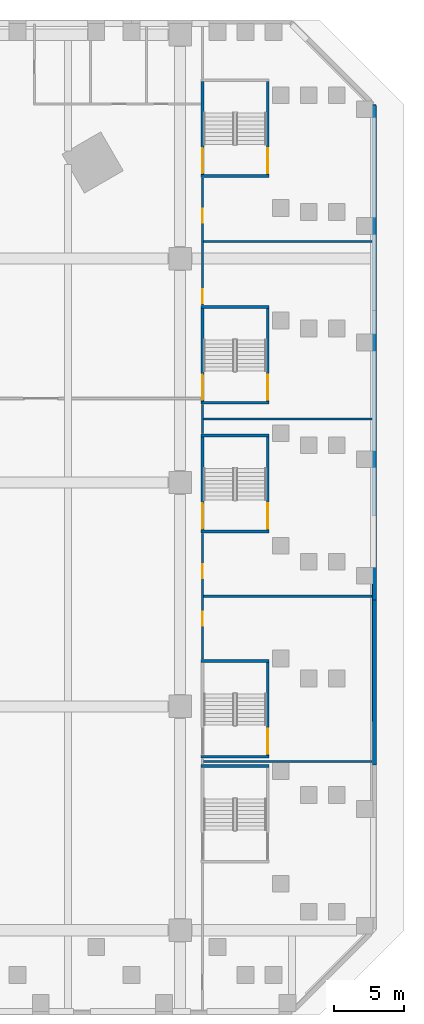
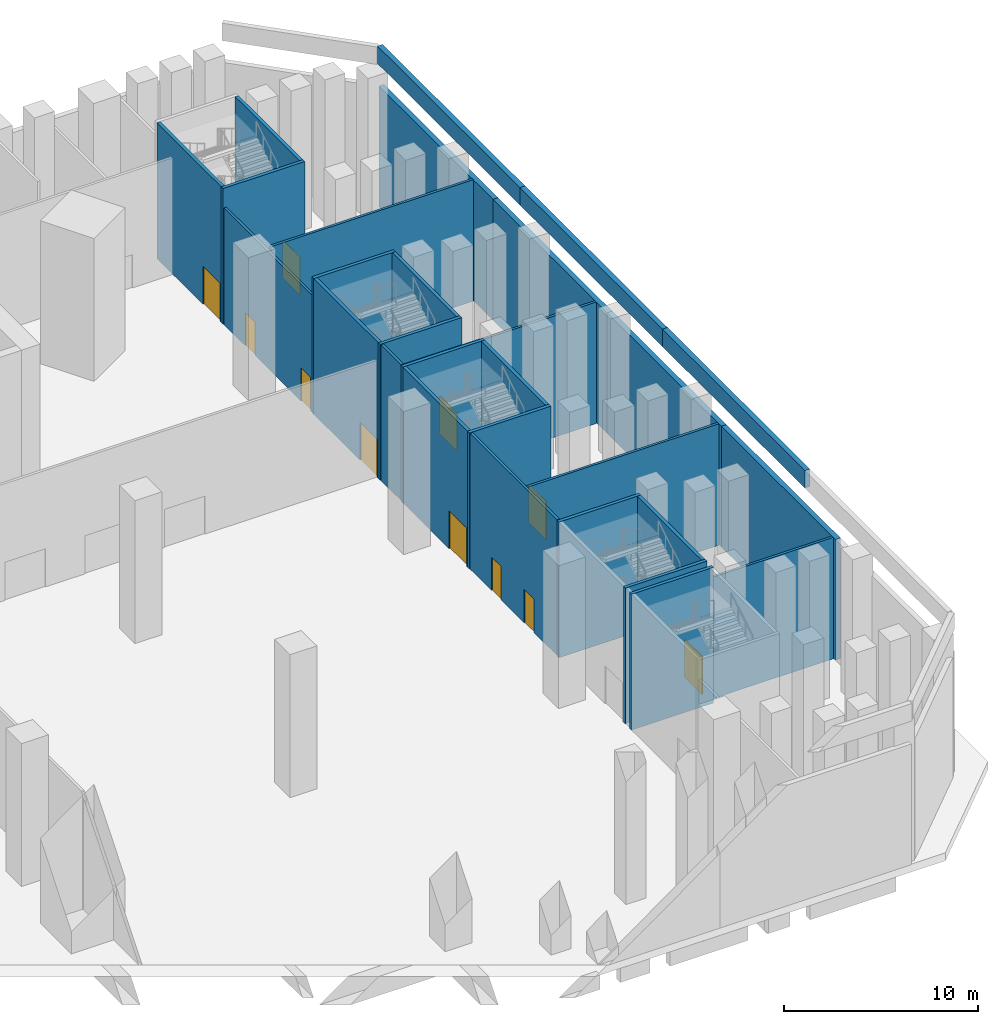
# One storey, part 9 of 25: 29 walls, 11 doors, 11 openings.
"""IFC4 building model written with IfcOpenShell, lengths in metres."""

from ifc_helpers import new_model, si_unit, direction, frame, frame_2d, origin, place, context, subcontext, project, spatial, rectangle, extrude, material, layer, layer_set, type_object, element, fill, save


model = new_model("IFC4")

# Units and contexts
model_context = context("Model", 3, precision=1e-05, world=origin(), true_north=direction((0.0, 1.0)))
body_context = subcontext(model_context, "Body", "Model", "MODEL_VIEW")
ifc_project = project(units=[si_unit("LENGTHUNIT", "METRE"), si_unit("AREAUNIT", "SQUARE_METRE"), si_unit("VOLUMEUNIT", "CUBIC_METRE"), si_unit("PLANEANGLEUNIT", "RADIAN"), si_unit("MASSUNIT", "GRAM", prefix="KILO")], contexts=[model_context])

# Site, building, storey
site_placement = place(None, origin())
site = spatial("IfcSite", under=ifc_project, at=site_placement, CompositionType="ELEMENT")
building_placement = place(site_placement, origin())
building = spatial("IfcBuilding", under=site, at=building_placement, Name="Calabash Gate Tower", CompositionType="ELEMENT")
storey_placement = place(building_placement, frame((0.0, 0.0, 20.0)))
storey = spatial("IfcBuildingStorey", under=building, at=storey_placement, Name="L02", CompositionType="ELEMENT", Elevation=20.0)

# Wall
ifc_material_1 = material(Name="Gypsum board on steel studs, mineral wool", Category="steel")
ifc_layer_1 = layer(ifc_material_1, 0.14990234375)
ifc_layer_set_1 = layer_set([ifc_layer_1], Name="Partition 150 gypsum board")
wall_type_1 = type_object("IfcWallType", Name="Partition 150 gypsum board", PredefinedType="PARTITIONING", material=ifc_layer_set_1)
wall_1_placement = place(storey_placement, frame((33.675048828125, -27.925048828125, 0.0), z_axis=(0.0, 0.0, 1.0), x_axis=(1.0, 0.0, 0.0)))
element("IfcWall", 1, at=wall_1_placement, inside=storey, type_object=wall_type_1, Name="Partition", PredefinedType="PARTITIONING", context=body_context, shape_type="SweptSolid", body=[
    extrude(rectangle(XDim=12.044921875, YDim=0.14990234375, at=frame_2d((6.0224609375, 0.0))), origin(), (0.0, 0.0, 1.0), 7.64990234375),
])

# Wall, openings, doors
wall_2_placement = place(storey_placement, frame((33.60009765625, -20.610107421875, 0.0), z_axis=(0.0, 0.0, 1.0), x_axis=(0.0, 1.0, 0.0)))
wall_2 = element("IfcWall", 2, at=wall_2_placement, inside=storey, type_object=wall_type_1, Name="Partition", PredefinedType="PARTITIONING", context=body_context, shape_type="SweptSolid", body=[
    extrude(rectangle(XDim=8.97021484375, YDim=0.14990234375, at=frame_2d((4.485107421875, 0.0))), origin(), (0.0, 0.0, 1.0), 8.550048828125),
])
opening_1_placement = place(wall_2_placement, frame((2.385009765625, 0.0, 0.0)))
opening_1 = element("IfcOpeningElement", 3, at=opening_1_placement, cuts=wall_2, Name="Opening L02-057", PredefinedType="OPENING", context=body_context, shape_type="SweptSolid", body=[
    extrude(rectangle(XDim=1.0, YDim=2.10009765625, at=frame_2d((0.5, 1.050048828125))), frame((0.0, 0.0849609375, 0.0), z_axis=(0.0, -1.0, 0.0), x_axis=(1.0, 0.0, 0.0)), (0.0, 0.0, 1.0), 0.169921875),
])
opening_2_placement = place(wall_2_placement, frame((5.759033203125, 0.0, 0.0)))
opening_2 = element("IfcOpeningElement", 4, at=opening_2_placement, cuts=wall_2, Name="Opening L02-058", PredefinedType="OPENING", context=body_context, shape_type="SweptSolid", body=[
    extrude(rectangle(XDim=1.0, YDim=2.10009765625, at=frame_2d((0.5, 1.050048828125))), frame((0.0, 0.0849609375, 0.0), z_axis=(0.0, -1.0, 0.0), x_axis=(1.0, 0.0, 0.0)), (0.0, 0.0, 1.0), 0.169921875),
])
ifc_material_2 = material(Name="Steel fire door set with fire-resisting glazing", Category="steel")
door_type_1 = type_object("IfcDoorType", Name="Fire door D11 1000x2100 FD60", OperationType="NOTDEFINED", PredefinedType="DOOR", material=ifc_material_2)
door_1_placement = place(opening_1_placement, origin())
door_1 = element("IfcDoor", 5, at=door_1_placement, inside=storey, type_object=door_type_1, Name="Meeting Room 202 door", OperationType="SINGLE_SWING_LEFT", OverallHeight=2.10009765625, OverallWidth=1.0, PredefinedType="DOOR", context=body_context, shape_type="SweptSolid", body=[
    extrude(rectangle(XDim=1.0, YDim=2.10009765625, at=frame_2d((0.5, 1.050048828125))), frame((0.0, 0.02490234375, 0.0), z_axis=(0.0, -1.0, 0.0), x_axis=(1.0, 0.0, 0.0)), (0.0, 0.0, 1.0), 0.050048828125),
])
fill(opening_1, door_1)
door_2_placement = place(opening_2_placement, origin())
door_2 = element("IfcDoor", 6, at=door_2_placement, inside=storey, type_object=door_type_1, Name="Meeting Room 203 door", OperationType="SINGLE_SWING_LEFT", OverallHeight=2.10009765625, OverallWidth=1.0, PredefinedType="DOOR", context=body_context, shape_type="SweptSolid", body=[
    extrude(rectangle(XDim=1.0, YDim=2.10009765625, at=frame_2d((0.5, 1.050048828125))), frame((0.0, 0.02490234375, 0.0), z_axis=(0.0, -1.0, 0.0), x_axis=(1.0, 0.0, 0.0)), (0.0, 0.0, 1.0), 0.050048828125),
])
fill(opening_2, door_2)

# Walls
wall_3_placement = place(storey_placement, frame((33.675048828125, -16.125, 0.0), z_axis=(0.0, 0.0, 1.0), x_axis=(1.0, 0.0, 0.0)))
element("IfcWall", 7, at=wall_3_placement, inside=storey, type_object=wall_type_1, Name="Partition", PredefinedType="PARTITIONING", context=body_context, shape_type="SweptSolid", body=[
    extrude(rectangle(XDim=12.044921875, YDim=0.14990234375, at=frame_2d((6.0224609375, 0.0))), origin(), (0.0, 0.0, 1.0), 7.64990234375),
])
wall_4_placement = place(storey_placement, frame((33.60009765625, -4.510009765625, 0.0), z_axis=(0.0, 0.0, 1.0), x_axis=(0.0, 1.0, 0.0)))
element("IfcWall", 8, at=wall_4_placement, inside=storey, type_object=wall_type_1, Name="Partition", PredefinedType="PARTITIONING", context=body_context, shape_type="SweptSolid", body=[
    extrude(rectangle(XDim=2.070068359375, YDim=0.14990234375, at=frame_2d((1.03515625, 0.0))), origin(), (0.0, 0.0, 1.0), 8.550048828125),
])
wall_5_placement = place(storey_placement, frame((33.675048828125, -3.47509765625, 0.0), z_axis=(0.0, 0.0, 1.0), x_axis=(1.0, 0.0, 0.0)))
element("IfcWall", 9, at=wall_5_placement, inside=storey, type_object=wall_type_1, Name="Partition", PredefinedType="PARTITIONING", context=body_context, shape_type="SweptSolid", body=[
    extrude(rectangle(XDim=12.044921875, YDim=0.14990234375, at=frame_2d((6.0224609375, 0.0))), origin(), (0.0, 0.0, 1.0), 7.64990234375),
])

# Wall, openings, doors
wall_6_placement = place(storey_placement, frame((33.60009765625, 4.68994140625, 0.0), z_axis=(0.0, 0.0, 1.0), x_axis=(0.0, 1.0, 0.0)))
wall_6 = element("IfcWall", 10, at=wall_6_placement, inside=storey, type_object=wall_type_1, Name="Partition", PredefinedType="PARTITIONING", context=body_context, shape_type="SweptSolid", body=[
    extrude(rectangle(XDim=9.070068359375, YDim=0.14990234375, at=frame_2d((4.53515625, 0.0))), origin(), (0.0, 0.0, 1.0), 7.35009765625),
])
opening_3_placement = place(wall_6_placement, frame((0.135009765625, 0.0, 0.0)))
opening_3 = element("IfcOpeningElement", 11, at=opening_3_placement, cuts=wall_6, Name="Opening L02-059", PredefinedType="OPENING", context=body_context, shape_type="SweptSolid", body=[
    extrude(rectangle(XDim=1.0, YDim=2.10009765625, at=frame_2d((0.5, 1.050048828125))), frame((0.0, 0.0849609375, 0.0), z_axis=(0.0, -1.0, 0.0), x_axis=(1.0, 0.0, 0.0)), (0.0, 0.0, 1.0), 0.169921875),
])
opening_4_placement = place(wall_6_placement, frame((5.85888671875, 0.0, 0.0)))
opening_4 = element("IfcOpeningElement", 12, at=opening_4_placement, cuts=wall_6, Name="Opening L02-060", PredefinedType="OPENING", context=body_context, shape_type="SweptSolid", body=[
    extrude(rectangle(XDim=1.0, YDim=2.10009765625, at=frame_2d((0.5, 1.050048828125))), frame((0.0, 0.0849609375, 0.0), z_axis=(0.0, -1.0, 0.0), x_axis=(1.0, 0.0, 0.0)), (0.0, 0.0, 1.0), 0.169921875),
])
door_3_placement = place(opening_3_placement, origin())
door_3 = element("IfcDoor", 13, at=door_3_placement, inside=storey, type_object=door_type_1, Name="Meeting Room 204 door", OperationType="SINGLE_SWING_LEFT", OverallHeight=2.10009765625, OverallWidth=1.0, PredefinedType="DOOR", context=body_context, shape_type="SweptSolid", body=[
    extrude(rectangle(XDim=1.0, YDim=2.10009765625, at=frame_2d((0.5, 1.050048828125))), frame((0.0, 0.02490234375, 0.0), z_axis=(0.0, -1.0, 0.0), x_axis=(1.0, 0.0, 0.0)), (0.0, 0.0, 1.0), 0.050048828125),
])
fill(opening_3, door_3)
door_4_placement = place(opening_4_placement, origin())
door_4 = element("IfcDoor", 14, at=door_4_placement, inside=storey, type_object=door_type_1, Name="Meeting Room 205 door", OperationType="SINGLE_SWING_RIGHT", OverallHeight=2.10009765625, OverallWidth=1.0, PredefinedType="DOOR", context=body_context, shape_type="SweptSolid", body=[
    extrude(rectangle(XDim=1.0, YDim=2.10009765625, at=frame_2d((0.5, 1.050048828125))), frame((0.0, 0.02490234375, 0.0), z_axis=(0.0, -1.0, 0.0), x_axis=(1.0, 0.0, 0.0)), (0.0, 0.0, 1.0), 0.050048828125),
])
fill(opening_4, door_4)

# Walls
wall_7_placement = place(storey_placement, frame((33.675048828125, 9.22509765625, 0.0), z_axis=(0.0, 0.0, 1.0), x_axis=(1.0, 0.0, 0.0)))
element("IfcWall", 15, at=wall_7_placement, inside=storey, type_object=wall_type_1, Name="Partition", PredefinedType="PARTITIONING", context=body_context, shape_type="SweptSolid", body=[
    extrude(rectangle(XDim=12.044921875, YDim=0.14990234375, at=frame_2d((6.0224609375, 0.0))), origin(), (0.0, 0.0, 1.0), 7.64990234375),
])
ifc_material_3 = material(Name="Terracotta brick masonry, exposed face", Category="masonry")
ifc_layer_2 = layer(ifc_material_3, 0.300048828125)
ifc_layer_set_2 = layer_set([ifc_layer_2], Name="Podium brick wall 300")
wall_type_2 = type_object("IfcWallType", Name="Podium brick wall 300", PredefinedType="SOLIDWALL", material=ifc_layer_set_2)
wall_8_placement = place(storey_placement, frame((45.89990234375, -28.169921875, 0.0), z_axis=(0.0, 0.0, 1.0), x_axis=(0.0, 1.0, 0.0)))
element("IfcWall", 16, at=wall_8_placement, inside=storey, type_object=wall_type_2, Name="Podium brick wall L02 2.0.1", PredefinedType="SOLIDWALL", context=body_context, shape_type="SweptSolid", body=[
    extrude(rectangle(XDim=11.780029296875, YDim=0.300048828125, at=frame_2d((5.89013671875, 0.0))), origin(), (0.0, 0.0, 1.0), 7.60009765625),
])
wall_9_placement = place(storey_placement, frame((45.89990234375, -16.389892578125, 0.0), z_axis=(0.0, 0.0, 1.0), x_axis=(0.0, 1.0, 0.0)))
element("IfcWall", 17, at=wall_9_placement, inside=storey, type_object=wall_type_2, Name="Podium brick wall L02 2.0.2", PredefinedType="SOLIDWALL", context=body_context, shape_type="SweptSolid", body=[
    extrude(rectangle(XDim=11.77978515625, YDim=0.300048828125, at=frame_2d((5.889892578125, 0.0))), origin(), (0.0, 0.0, 1.0), 7.60009765625),
])
for number, where, z_axis, x_axis, name in (
    (18, (45.89990234375, -4.610107421875, 0.0), (0.0, 0.0, 1.0), (0.0, 1.0, 0.0), "Podium brick wall L02 2.0.3"),
    (19, (45.89990234375, 7.169921875, 0.0), (0.0, 0.0, 1.0), (0.0, 1.0, 0.0), "Podium brick wall L02 2.0.4"),
):
    element("IfcWall", number, at=place(storey_placement, frame(where, z_axis=z_axis, x_axis=x_axis)), inside=storey, type_object=wall_type_2, Name=name, PredefinedType="SOLIDWALL", context=body_context, shape_type="SweptSolid", body=[
        extrude(rectangle(XDim=11.780029296875, YDim=0.300048828125, at=frame_2d((5.89013671875, 0.0))), origin(), (0.0, 0.0, 1.0), 7.60009765625),
    ])
ifc_material_4 = material(Name="Terracotta brick masonry, exposed face", Category="masonry")
ifc_layer_3 = layer(ifc_material_4, 0.300048828125)
ifc_layer_set_3 = layer_set([ifc_layer_3], Name="Podium parapet wall 300")
wall_type_3 = type_object("IfcWallType", Name="Podium parapet wall 300", PredefinedType="PARAPET", material=ifc_layer_set_3)
for number, where, z_axis, x_axis, name in (
    (20, (45.85009765625, -25.092529296875, 9.0), (0.0, 0.0, 1.0), (0.0, 1.0, 0.0), "Podium parapet L02 2.0.1"),
    (21, (45.85009765625, -10.39501953125, 9.0), (0.0, 0.0, 1.0), (0.0, 1.0, 0.0), "Podium parapet L02 2.0.2"),
    (22, (45.85009765625, 4.302490234375, 9.0), (0.0, 0.0, 1.0), (0.0, 1.0, 0.0), "Podium parapet L02 2.0.3"),
):
    element("IfcWall", number, at=place(storey_placement, frame(where, z_axis=z_axis, x_axis=x_axis)), inside=storey, type_object=wall_type_3, Name=name, PredefinedType="PARAPET", context=body_context, shape_type="SweptSolid", body=[
        extrude(rectangle(XDim=14.697509765625, YDim=0.300048828125, at=frame_2d((7.3486328125, 0.0))), origin(), (0.0, 0.0, 1.0), 1.10009765625),
    ])
ifc_material_5 = material(Name="Concrete C40/50", Category="concrete")
ifc_layer_4 = layer(ifc_material_5, 0.199951171875)
ifc_layer_set_4 = layer_set([ifc_layer_4], Name="Stair wall 200 Concrete C40/50")
wall_type_4 = type_object("IfcWallType", Name="Stair wall 200 Concrete C40/50", PredefinedType="SOLIDWALL", material=ifc_layer_set_4)
for number, where, z_axis, x_axis, name in (
    (23, (33.5, -28.25, 0.0), (0.0, 0.0, 1.0), (1.0, 0.0, 0.0), "Stair wall"),
    (24, (33.5, -27.60009765625, 0.0), (0.0, 0.0, 1.0), (1.0, 0.0, 0.0), "Stair wall"),
    (25, (33.5, -20.75, 0.0), (0.0, 0.0, 1.0), (1.0, 0.0, 0.0), "Stair wall"),
):
    element("IfcWall", number, at=place(storey_placement, frame(where, z_axis=z_axis, x_axis=x_axis)), inside=storey, type_object=wall_type_4, Name=name, PredefinedType="SOLIDWALL", context=body_context, shape_type="SweptSolid", body=[
        extrude(rectangle(XDim=4.8701171875, YDim=0.199951171875, at=frame_2d((2.43505859375, 0.0))), origin(), (0.0, 0.0, 1.0), 8.550048828125),
    ])

# Wall, opening, door
wall_10_placement = place(storey_placement, frame((38.27001953125, -27.5, 0.0), z_axis=(0.0, 0.0, 1.0), x_axis=(0.0, 1.0, 0.0)))
wall_10 = element("IfcWall", 26, at=wall_10_placement, inside=storey, type_object=wall_type_4, Name="Stair wall", PredefinedType="SOLIDWALL", context=body_context, shape_type="SweptSolid", body=[
    extrude(rectangle(XDim=6.64990234375, YDim=0.199951171875, at=frame_2d((3.324951171875, 0.0))), origin(), (0.0, 0.0, 1.0), 8.550048828125),
])
opening_5_placement = place(wall_10_placement, frame((0.10009765625, 0.0, 0.0)))
opening_5 = element("IfcOpeningElement", 27, at=opening_5_placement, cuts=wall_10, Name="Opening L02-032", PredefinedType="OPENING", context=body_context, shape_type="SweptSolid", body=[
    extrude(rectangle(XDim=1.800048828125, YDim=2.39990234375, at=frame_2d((0.89990234375, 1.199951171875))), frame((0.0, 0.10986328125, 0.0), z_axis=(0.0, -1.0, 0.0), x_axis=(1.0, 0.0, 0.0)), (0.0, 0.0, 1.0), 0.219970703125),
])
ifc_material_6 = material(Name="Steel fire door set with fire-resisting glazing", Category="steel")
door_type_2 = type_object("IfcDoorType", Name="Double fire door D16 1800x2400 FD90", OperationType="DOUBLE_DOOR_SINGLE_SWING", PredefinedType="DOOR", material=ifc_material_6)
door_5_placement = place(opening_5_placement, origin())
door_5 = element("IfcDoor", 28, at=door_5_placement, inside=storey, type_object=door_type_2, Name="Exit stair door PS7", OperationType="DOUBLE_DOOR_SINGLE_SWING", OverallHeight=2.39990234375, OverallWidth=1.800048828125, PredefinedType="DOOR", context=body_context, shape_type="SweptSolid", body=[
    extrude(rectangle(XDim=1.800048828125, YDim=2.39990234375, at=frame_2d((0.89990234375, 1.199951171875))), frame((0.0, 0.02490234375, 0.0), z_axis=(0.0, -1.0, 0.0), x_axis=(1.0, 0.0, 0.0)), (0.0, 0.0, 1.0), 0.050048828125),
])
fill(opening_5, door_5)

# Walls
for number, where, z_axis, x_axis, name in (
    (29, (33.5, -11.5, 0.0), (0.0, 0.0, 1.0), (1.0, 0.0, 0.0), "Stair wall"),
    (30, (33.5, -4.64990234375, 0.0), (0.0, 0.0, 1.0), (1.0, 0.0, 0.0), "Stair wall"),
):
    element("IfcWall", number, at=place(storey_placement, frame(where, z_axis=z_axis, x_axis=x_axis)), inside=storey, type_object=wall_type_4, Name=name, PredefinedType="SOLIDWALL", context=body_context, shape_type="SweptSolid", body=[
        extrude(rectangle(XDim=4.8701171875, YDim=0.199951171875, at=frame_2d((2.43505859375, 0.0))), origin(), (0.0, 0.0, 1.0), 8.550048828125),
    ])

# Wall, opening, door
wall_11_placement = place(storey_placement, frame((33.60009765625, -11.39990234375, 0.0), z_axis=(0.0, 0.0, 1.0), x_axis=(0.0, 1.0, 0.0)))
wall_11 = element("IfcWall", 31, at=wall_11_placement, inside=storey, type_object=wall_type_4, Name="Stair wall", PredefinedType="SOLIDWALL", context=body_context, shape_type="SweptSolid", body=[
    extrude(rectangle(XDim=6.64990234375, YDim=0.199951171875, at=frame_2d((3.324951171875, 0.0))), origin(), (0.0, 0.0, 1.0), 8.550048828125),
])
opening_6_placement = place(wall_11_placement, frame((0.10009765625, 0.0, 0.0)))
opening_6 = element("IfcOpeningElement", 32, at=opening_6_placement, cuts=wall_11, Name="Opening L02-033", PredefinedType="OPENING", context=body_context, shape_type="SweptSolid", body=[
    extrude(rectangle(XDim=1.800048828125, YDim=2.39990234375, at=frame_2d((0.89990234375, 1.199951171875))), frame((0.0, 0.10986328125, 0.0), z_axis=(0.0, -1.0, 0.0), x_axis=(1.0, 0.0, 0.0)), (0.0, 0.0, 1.0), 0.219970703125),
])
door_6_placement = place(opening_6_placement, origin())
door_6 = element("IfcDoor", 33, at=door_6_placement, inside=storey, type_object=door_type_2, Name="Exit stair door PS8", OperationType="DOUBLE_DOOR_SINGLE_SWING", OverallHeight=2.39990234375, OverallWidth=1.800048828125, PredefinedType="DOOR", context=body_context, shape_type="SweptSolid", body=[
    extrude(rectangle(XDim=1.800048828125, YDim=2.39990234375, at=frame_2d((0.89990234375, 1.199951171875))), frame((0.0, 0.02490234375, 0.0), z_axis=(0.0, -1.0, 0.0), x_axis=(1.0, 0.0, 0.0)), (0.0, 0.0, 1.0), 0.050048828125),
])
fill(opening_6, door_6)

wall_12_placement = place(storey_placement, frame((38.27001953125, -11.39990234375, 0.0), z_axis=(0.0, 0.0, 1.0), x_axis=(0.0, 1.0, 0.0)))
wall_12 = element("IfcWall", 34, at=wall_12_placement, inside=storey, type_object=wall_type_4, Name="Stair wall", PredefinedType="SOLIDWALL", context=body_context, shape_type="SweptSolid", body=[
    extrude(rectangle(XDim=6.64990234375, YDim=0.199951171875, at=frame_2d((3.324951171875, 0.0))), origin(), (0.0, 0.0, 1.0), 8.550048828125),
])
opening_7_placement = place(wall_12_placement, frame((0.10009765625, 0.0, 0.0)))
opening_7 = element("IfcOpeningElement", 35, at=opening_7_placement, cuts=wall_12, Name="Opening L02-034", PredefinedType="OPENING", context=body_context, shape_type="SweptSolid", body=[
    extrude(rectangle(XDim=1.800048828125, YDim=2.39990234375, at=frame_2d((0.89990234375, 1.199951171875))), frame((0.0, 0.10986328125, 0.0), z_axis=(0.0, -1.0, 0.0), x_axis=(1.0, 0.0, 0.0)), (0.0, 0.0, 1.0), 0.219970703125),
])
door_7_placement = place(opening_7_placement, origin())
door_7 = element("IfcDoor", 36, at=door_7_placement, inside=storey, type_object=door_type_2, Name="Exit stair door PS8", OperationType="DOUBLE_DOOR_SINGLE_SWING", OverallHeight=2.39990234375, OverallWidth=1.800048828125, PredefinedType="DOOR", context=body_context, shape_type="SweptSolid", body=[
    extrude(rectangle(XDim=1.800048828125, YDim=2.39990234375, at=frame_2d((0.89990234375, 1.199951171875))), frame((0.0, 0.02490234375, 0.0), z_axis=(0.0, -1.0, 0.0), x_axis=(1.0, 0.0, 0.0)), (0.0, 0.0, 1.0), 0.050048828125),
])
fill(opening_7, door_7)

# Walls
for number, where, z_axis, x_axis, name in (
    (37, (33.5, -2.300048828125, 0.0), (0.0, 0.0, 1.0), (1.0, 0.0, 0.0), "Stair wall"),
    (38, (33.5, 4.550048828125, 0.0), (0.0, 0.0, 1.0), (1.0, 0.0, 0.0), "Stair wall"),
):
    element("IfcWall", number, at=place(storey_placement, frame(where, z_axis=z_axis, x_axis=x_axis)), inside=storey, type_object=wall_type_4, Name=name, PredefinedType="SOLIDWALL", context=body_context, shape_type="SweptSolid", body=[
        extrude(rectangle(XDim=4.8701171875, YDim=0.199951171875, at=frame_2d((2.43505859375, 0.0))), origin(), (0.0, 0.0, 1.0), 8.550048828125),
    ])

# Wall, opening, door
wall_13_placement = place(storey_placement, frame((33.60009765625, -2.199951171875, 0.0), z_axis=(0.0, 0.0, 1.0), x_axis=(0.0, 1.0, 0.0)))
wall_13 = element("IfcWall", 39, at=wall_13_placement, inside=storey, type_object=wall_type_4, Name="Stair wall", PredefinedType="SOLIDWALL", context=body_context, shape_type="SweptSolid", body=[
    extrude(rectangle(XDim=6.64990234375, YDim=0.199951171875, at=frame_2d((3.324951171875, 0.0))), origin(), (0.0, 0.0, 1.0), 8.550048828125),
])
opening_8_placement = place(wall_13_placement, frame((0.10009765625, 0.0, 0.0)))
opening_8 = element("IfcOpeningElement", 40, at=opening_8_placement, cuts=wall_13, Name="Opening L02-035", PredefinedType="OPENING", context=body_context, shape_type="SweptSolid", body=[
    extrude(rectangle(XDim=1.800048828125, YDim=2.39990234375, at=frame_2d((0.89990234375, 1.199951171875))), frame((0.0, 0.10986328125, 0.0), z_axis=(0.0, -1.0, 0.0), x_axis=(1.0, 0.0, 0.0)), (0.0, 0.0, 1.0), 0.219970703125),
])
door_8_placement = place(opening_8_placement, origin())
door_8 = element("IfcDoor", 41, at=door_8_placement, inside=storey, type_object=door_type_2, Name="Exit stair door PS9", OperationType="DOUBLE_DOOR_SINGLE_SWING", OverallHeight=2.39990234375, OverallWidth=1.800048828125, PredefinedType="DOOR", context=body_context, shape_type="SweptSolid", body=[
    extrude(rectangle(XDim=1.800048828125, YDim=2.39990234375, at=frame_2d((0.89990234375, 1.199951171875))), frame((0.0, 0.02490234375, 0.0), z_axis=(0.0, -1.0, 0.0), x_axis=(1.0, 0.0, 0.0)), (0.0, 0.0, 1.0), 0.050048828125),
])
fill(opening_8, door_8)

wall_14_placement = place(storey_placement, frame((38.27001953125, -2.199951171875, 0.0), z_axis=(0.0, 0.0, 1.0), x_axis=(0.0, 1.0, 0.0)))
wall_14 = element("IfcWall", 42, at=wall_14_placement, inside=storey, type_object=wall_type_4, Name="Stair wall", PredefinedType="SOLIDWALL", context=body_context, shape_type="SweptSolid", body=[
    extrude(rectangle(XDim=6.64990234375, YDim=0.199951171875, at=frame_2d((3.324951171875, 0.0))), origin(), (0.0, 0.0, 1.0), 8.550048828125),
])
opening_9_placement = place(wall_14_placement, frame((0.10009765625, 0.0, 0.0)))
opening_9 = element("IfcOpeningElement", 43, at=opening_9_placement, cuts=wall_14, Name="Opening L02-036", PredefinedType="OPENING", context=body_context, shape_type="SweptSolid", body=[
    extrude(rectangle(XDim=1.800048828125, YDim=2.39990234375, at=frame_2d((0.89990234375, 1.199951171875))), frame((0.0, 0.10986328125, 0.0), z_axis=(0.0, -1.0, 0.0), x_axis=(1.0, 0.0, 0.0)), (0.0, 0.0, 1.0), 0.219970703125),
])
door_9_placement = place(opening_9_placement, origin())
door_9 = element("IfcDoor", 44, at=door_9_placement, inside=storey, type_object=door_type_2, Name="Exit stair door PS9", OperationType="DOUBLE_DOOR_SINGLE_SWING", OverallHeight=2.39990234375, OverallWidth=1.800048828125, PredefinedType="DOOR", context=body_context, shape_type="SweptSolid", body=[
    extrude(rectangle(XDim=1.800048828125, YDim=2.39990234375, at=frame_2d((0.89990234375, 1.199951171875))), frame((0.0, 0.02490234375, 0.0), z_axis=(0.0, -1.0, 0.0), x_axis=(1.0, 0.0, 0.0)), (0.0, 0.0, 1.0), 0.050048828125),
])
fill(opening_9, door_9)

# Wall
wall_15_placement = place(storey_placement, frame((33.5, 13.89990234375, 0.0), z_axis=(0.0, 0.0, 1.0), x_axis=(1.0, 0.0, 0.0)))
element("IfcWall", 45, at=wall_15_placement, inside=storey, type_object=wall_type_4, Name="Stair wall", PredefinedType="SOLIDWALL", context=body_context, shape_type="SweptSolid", body=[
    extrude(rectangle(XDim=4.8701171875, YDim=0.199951171875, at=frame_2d((2.43505859375, 0.0))), origin(), (0.0, 0.0, 1.0), 8.550048828125),
])

# Wall, opening, door
wall_16_placement = place(storey_placement, frame((33.60009765625, 14.0, 0.0), z_axis=(0.0, 0.0, 1.0), x_axis=(0.0, 1.0, 0.0)))
wall_16 = element("IfcWall", 46, at=wall_16_placement, inside=storey, type_object=wall_type_4, Name="Stair wall", PredefinedType="SOLIDWALL", context=body_context, shape_type="SweptSolid", body=[
    extrude(rectangle(XDim=6.64990234375, YDim=0.199951171875, at=frame_2d((3.324951171875, 0.0))), origin(), (0.0, 0.0, 1.0), 8.550048828125),
])
opening_10_placement = place(wall_16_placement, frame((0.10009765625, 0.0, 0.0)))
opening_10 = element("IfcOpeningElement", 47, at=opening_10_placement, cuts=wall_16, Name="Opening L02-037", PredefinedType="OPENING", context=body_context, shape_type="SweptSolid", body=[
    extrude(rectangle(XDim=1.800048828125, YDim=2.39990234375, at=frame_2d((0.89990234375, 1.199951171875))), frame((0.0, 0.10986328125, 0.0), z_axis=(0.0, -1.0, 0.0), x_axis=(1.0, 0.0, 0.0)), (0.0, 0.0, 1.0), 0.219970703125),
])
door_10_placement = place(opening_10_placement, origin())
door_10 = element("IfcDoor", 48, at=door_10_placement, inside=storey, type_object=door_type_2, Name="Exit stair door PS10", OperationType="DOUBLE_DOOR_SINGLE_SWING", OverallHeight=2.39990234375, OverallWidth=1.800048828125, PredefinedType="DOOR", context=body_context, shape_type="SweptSolid", body=[
    extrude(rectangle(XDim=1.800048828125, YDim=2.39990234375, at=frame_2d((0.89990234375, 1.199951171875))), frame((0.0, 0.02490234375, 0.0), z_axis=(0.0, -1.0, 0.0), x_axis=(1.0, 0.0, 0.0)), (0.0, 0.0, 1.0), 0.050048828125),
])
fill(opening_10, door_10)

wall_17_placement = place(storey_placement, frame((38.27001953125, 14.0, 0.0), z_axis=(0.0, 0.0, 1.0), x_axis=(0.0, 1.0, 0.0)))
wall_17 = element("IfcWall", 49, at=wall_17_placement, inside=storey, type_object=wall_type_4, Name="Stair wall", PredefinedType="SOLIDWALL", context=body_context, shape_type="SweptSolid", body=[
    extrude(rectangle(XDim=6.64990234375, YDim=0.199951171875, at=frame_2d((3.324951171875, 0.0))), origin(), (0.0, 0.0, 1.0), 8.550048828125),
])
opening_11_placement = place(wall_17_placement, frame((0.10009765625, 0.0, 0.0)))
opening_11 = element("IfcOpeningElement", 50, at=opening_11_placement, cuts=wall_17, Name="Opening L02-038", PredefinedType="OPENING", context=body_context, shape_type="SweptSolid", body=[
    extrude(rectangle(XDim=1.800048828125, YDim=2.39990234375, at=frame_2d((0.89990234375, 1.199951171875))), frame((0.0, 0.10986328125, 0.0), z_axis=(0.0, -1.0, 0.0), x_axis=(1.0, 0.0, 0.0)), (0.0, 0.0, 1.0), 0.219970703125),
])
door_11_placement = place(opening_11_placement, origin())
door_11 = element("IfcDoor", 51, at=door_11_placement, inside=storey, type_object=door_type_2, Name="Exit stair door PS10", OperationType="DOUBLE_DOOR_SINGLE_SWING", OverallHeight=2.39990234375, OverallWidth=1.800048828125, PredefinedType="DOOR", context=body_context, shape_type="SweptSolid", body=[
    extrude(rectangle(XDim=1.800048828125, YDim=2.39990234375, at=frame_2d((0.89990234375, 1.199951171875))), frame((0.0, 0.02490234375, 0.0), z_axis=(0.0, -1.0, 0.0), x_axis=(1.0, 0.0, 0.0)), (0.0, 0.0, 1.0), 0.050048828125),
])
fill(opening_11, door_11)

save(model, "model.ifc")
